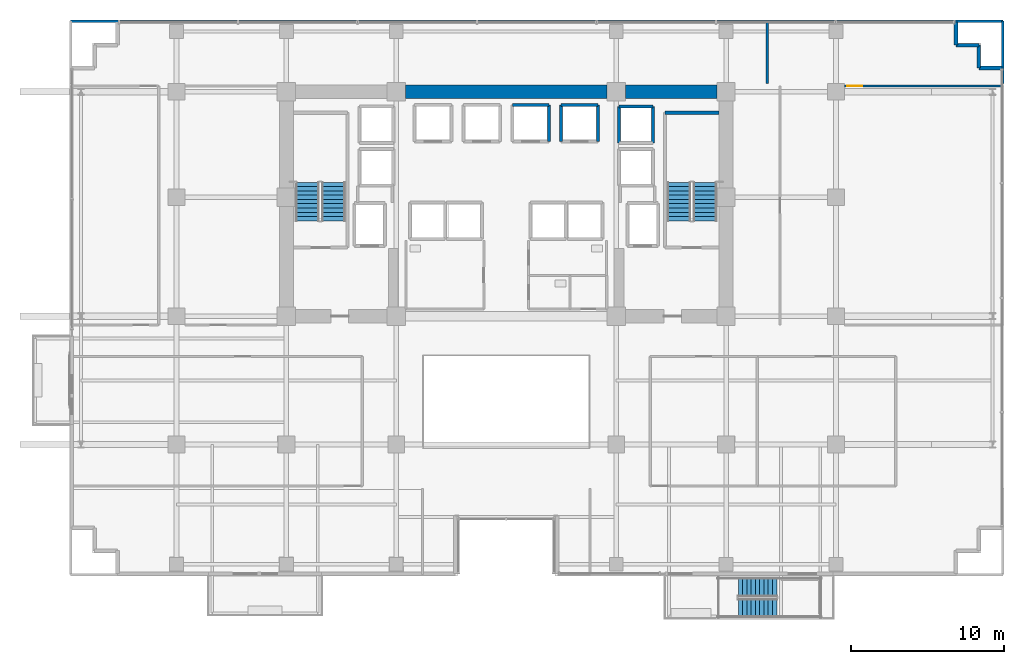
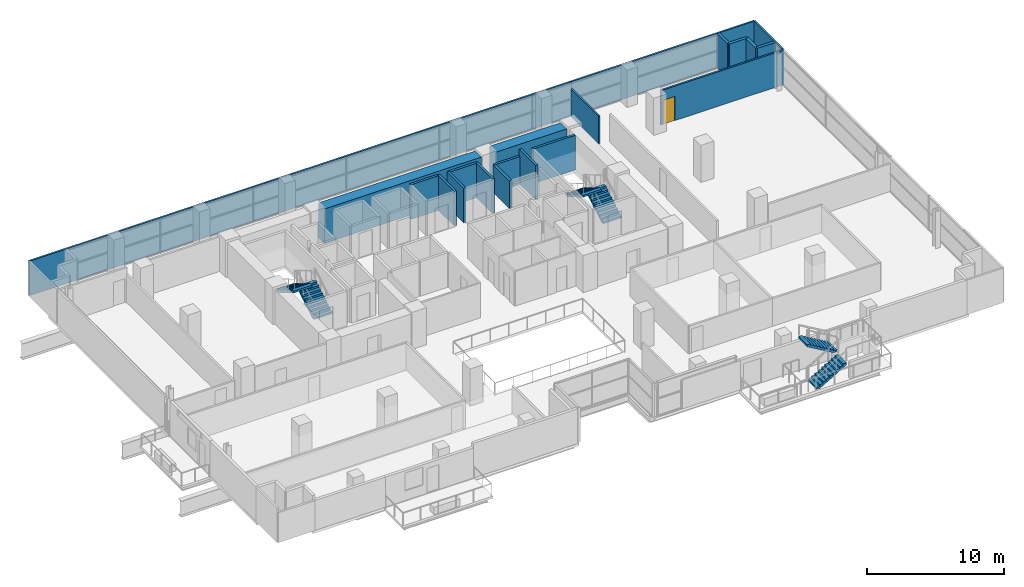
# One storey, part 27 of 31: 20 walls, 6 stair flights, 1 door, 1 opening, 3 elements without a shape of their own.
"""IFC4 building model written with IfcOpenShell, lengths in metres."""

from ifc_helpers import new_model, si_unit, direction, frame, frame_2d, origin, place, context, subcontext, project, spatial, polyline, rectangle, outline, extrude, source, transform, mapped, material, layer, layer_set, type_object, element, fill, aggregate, save


model = new_model("IFC4")

# Units and contexts
model_context = context("Model", 3, precision=1e-05, world=origin(), true_north=direction((0.0, 1.0)))
body_context = subcontext(model_context, "Body", "Model", "MODEL_VIEW")
ifc_project = project(units=[si_unit("LENGTHUNIT", "METRE"), si_unit("AREAUNIT", "SQUARE_METRE"), si_unit("VOLUMEUNIT", "CUBIC_METRE"), si_unit("PLANEANGLEUNIT", "RADIAN"), si_unit("MASSUNIT", "GRAM", prefix="KILO")], contexts=[model_context])

# Site, building, storey
site_placement = place(None, origin())
site = spatial("IfcSite", under=ifc_project, at=site_placement, CompositionType="ELEMENT")
building_placement = place(site_placement, origin())
building = spatial("IfcBuilding", under=site, at=building_placement, Name="Zarnakvel Exchange Tower", CompositionType="ELEMENT")
storey_placement = place(building_placement, frame((0.0, 0.0, 53.800048828125)))
storey = spatial("IfcBuildingStorey", under=building, at=storey_placement, Name="L14", CompositionType="ELEMENT", Elevation=53.800048828125)

# Walls
ifc_material_1 = material(Name="Concrete C80/95", Category="concrete")
ifc_layer_1 = layer(ifc_material_1, 0.89990234375)
ifc_layer_set_1 = layer_set([ifc_layer_1], Name="Concrete C80/95")
wall_type_1 = type_object("IfcWallType", Name="CW-C1", PredefinedType="SHEAR", material=ifc_layer_set_1)
wall_1_placement = place(storey_placement, frame((-6.60009765625, 13.5, 0.0), z_axis=(0.0, 0.0, 1.0), x_axis=(1.0, 0.0, 0.0)))
element("IfcWall", 1, at=wall_1_placement, inside=storey, type_object=wall_type_1, Name="L14 Rear Core Shear Wall N2 (CW-C1)", PredefinedType="SHEAR", context=body_context, shape_type="SweptSolid", body=[
    extrude(rectangle(XDim=13.2001953125, YDim=0.89990234375, at=frame_2d((6.60009765625, 0.0))), origin(), (0.0, 0.0, 1.0), 3.074951171875),
])
wall_2_placement = place(storey_placement, frame((7.800048828125, 13.5, 0.0), z_axis=(0.0, 0.0, 1.0), x_axis=(1.0, 0.0, 0.0)))
element("IfcWall", 2, at=wall_2_placement, inside=storey, type_object=wall_type_1, Name="L14 Rear Core Shear Wall N3 (CW-C1)", PredefinedType="SHEAR", context=body_context, shape_type="SweptSolid", body=[
    extrude(rectangle(XDim=6.0, YDim=0.89990234375, at=frame_2d((3.0, 0.0))), origin(), (0.0, 0.0, 1.0), 3.074951171875),
])
ifc_material_2 = material(Name="Precast concrete C40/50", Category="concrete")
ifc_layer_2 = layer(ifc_material_2, 0.239990234375)
ifc_layer_set_2 = layer_set([ifc_layer_2], Name="Precast concrete C40/50")
wall_type_2 = type_object("IfcWallType", Name="EW-02", PredefinedType="SOLIDWALL", material=ifc_layer_set_2)
for number, where, z_axis, x_axis, name in (
    (3, (29.4599609375, 16.56005859375, 0.0), (0.0, 0.0, 1.0), (0.0, 1.0, 0.0), "L14 Exterior Precast Spandrel Wall EWC-L14-07 (EW-02)"),
    (4, (30.9599609375, 16.56005859375, 0.0), (0.0, 0.0, 1.0), (-1.0, 0.0, 0.0), "L14 Exterior Precast Spandrel Wall EWC-L14-08 (EW-02)"),
    (5, (30.9599609375, 15.06005859375, 0.0), (0.0, 0.0, 1.0), (0.0, 1.0, 0.0), "L14 Exterior Precast Spandrel Wall EWC-L14-09 (EW-02)"),
    (6, (32.4599609375, 15.06005859375, 0.0), (0.0, 0.0, 1.0), (-1.0, 0.0, 0.0), "L14 Exterior Precast Spandrel Wall EWC-L14-10 (EW-02)"),
):
    element("IfcWall", number, at=place(storey_placement, frame(where, z_axis=z_axis, x_axis=x_axis)), inside=storey, type_object=wall_type_2, Name=name, PredefinedType="SOLIDWALL", context=body_context, shape_type="SweptSolid", body=[
        extrude(rectangle(XDim=1.5, YDim=0.239990234375, at=frame_2d((0.75, 0.0))), origin(), (0.0, 0.0, 1.0), 3.074951171875),
    ])

# Wall, opening, door
ifc_material_3 = material(Name="Fire-Rated Gypsum Stud Partition", Category="gypsum")
ifc_layer_3 = layer(ifc_material_3, 0.14990234375)
ifc_layer_set_3 = layer_set([ifc_layer_3], Name="Fire-Rated Gypsum Stud Partition")
wall_type_3 = type_object("IfcWallType", Name="PT-01", PredefinedType="PARTITIONING", material=ifc_layer_set_3)
wall_3_placement = place(storey_placement, frame((22.169921875, 13.8798828125, 0.0), z_axis=(0.0, 0.0, 1.0), x_axis=(1.0, 0.0, 0.0)))
wall_3 = element("IfcWall", 7, at=wall_3_placement, inside=storey, type_object=wall_type_3, Name="L14 Partition Wall PWALL-L14-047 (PT-01)", PredefinedType="PARTITIONING", context=body_context, shape_type="SweptSolid", body=[
    extrude(rectangle(XDim=10.360107421875, YDim=0.14990234375, at=frame_2d((5.18017578125, 0.0))), origin(), (0.0, 0.0, 1.0), 3.074951171875),
])
opening_placement = place(wall_3_placement, frame((0.179931640625, 0.0, 0.0)))
opening = element("IfcOpeningElement", 8, at=opening_placement, cuts=wall_3, Name="Opening D-L14-18", PredefinedType="OPENING", context=body_context, shape_type="SweptSolid", body=[
    extrude(rectangle(XDim=0.97998046875, YDim=2.14990234375, at=frame_2d((0.489990234375, 1.074951171875))), frame((0.0, 0.0849609375, 0.0), z_axis=(0.0, -1.0, 0.0), x_axis=(1.0, 0.0, 0.0)), (0.0, 0.0, 1.0), 0.169921875),
])
ifc_material_4 = material(Name="Timber Acoustic Veneer", Category="wood")
door_type = type_object("IfcDoorType", Name="DT-05", OperationType="NOTDEFINED", PredefinedType="DOOR", material=ifc_material_4)
shared_shape = source(origin(), body_context, "Body", "SweptSolid", [
    extrude(rectangle(XDim=0.97998046875, YDim=2.14990234375, at=frame_2d((0.489990234375, 1.074951171875))), frame((0.0, 0.02490234375, 0.0), z_axis=(0.0, -1.0, 0.0), x_axis=(1.0, 0.0, 0.0)), (0.0, 0.0, 1.0), 0.050048828125),
])
door_placement = place(opening_placement, origin())
door = element("IfcDoor", 9, at=door_placement, inside=storey, type_object=door_type, Name="L14 Breakout Lounge Door D-L14-18", OperationType="SINGLE_SWING_RIGHT", OverallHeight=2.14990234375, OverallWidth=0.97998046875, PredefinedType="DOOR", context=body_context, shape_type="MappedRepresentation", body=[
    mapped(shared_shape, transform((0.0, 0.0, 0.0), x_axis=(1.0, 0.0, 0.0), y_axis=(0.0, 1.0, 0.0), z_axis=(0.0, 0.0, 1.0), scale=1.0)),
])
fill(opening, door)

# Walls
wall_4_placement = place(storey_placement, frame((-28.530029296875, 18.1298828125, 0.0), z_axis=(0.0, 0.0, 1.0), x_axis=(1.0, 0.0, 0.0)))
element("IfcWall", 10, at=wall_4_placement, inside=storey, type_object=wall_type_3, Name="L14 Partition Wall PWALL-L14-050 (PT-01)", PredefinedType="PARTITIONING", context=body_context, shape_type="SweptSolid", body=[
    extrude(rectangle(XDim=45.630126953125, YDim=0.14990234375, at=frame_2d((22.81494140625, 0.0))), origin(), (0.0, 0.0, 1.0), 3.074951171875),
])
wall_5_placement = place(storey_placement, frame((17.10009765625, 18.1298828125, 0.0), z_axis=(0.0, 0.0, 1.0), x_axis=(0.0, -1.0, 0.0)))
element("IfcWall", 11, at=wall_5_placement, inside=storey, type_object=wall_type_3, Name="L14 Partition Wall PWALL-L14-052 (PT-01)", PredefinedType="PARTITIONING", context=body_context, shape_type="SweptSolid", body=[
    extrude(rectangle(XDim=4.099853515625, YDim=0.14990234375, at=frame_2d((2.0498046875, 0.0))), origin(), (0.0, 0.0, 1.0), 2.46484375),
])
wall_6_placement = place(storey_placement, frame((17.10009765625, 18.1298828125, 0.0), z_axis=(0.0, 0.0, 1.0), x_axis=(1.0, 0.0, 0.0)))
element("IfcWall", 12, at=wall_6_placement, inside=storey, type_object=wall_type_3, Name="L14 Partition Wall PWALL-L14-053 (PT-01)", PredefinedType="PARTITIONING", context=body_context, shape_type="SweptSolid", body=[
    extrude(rectangle(XDim=15.429931640625, YDim=0.14990234375, at=frame_2d((7.71484375, 0.0))), origin(), (0.0, 0.0, 1.0), 3.074951171875),
])
wall_7_placement = place(storey_placement, frame((32.530029296875, 18.1298828125, 0.0), z_axis=(0.0, 0.0, 1.0), x_axis=(0.0, -1.0, 0.0)))
element("IfcWall", 13, at=wall_7_placement, inside=storey, type_object=wall_type_3, Name="L14 Partition Wall PWALL-L14-054 (PT-01)", PredefinedType="PARTITIONING", context=body_context, shape_type="SweptSolid", body=[
    extrude(rectangle(XDim=4.099853515625, YDim=0.14990234375, at=frame_2d((2.0498046875, 0.0))), origin(), (0.0, 0.0, 1.0), 3.074951171875),
])
ifc_material_5 = material(Name="Concrete C40/50", Category="concrete")
ifc_layer_4 = layer(ifc_material_5, 0.199951171875)
ifc_layer_set_4 = layer_set([ifc_layer_4], Name="Concrete C40/50")
wall_type_4 = type_object("IfcWallType", Name="SW-01", PredefinedType="SOLIDWALL", material=ifc_layer_set_4)
wall_8_placement = place(storey_placement, frame((0.39990234375, 12.64990234375, 0.0), z_axis=(0.0, 0.0, 1.0), x_axis=(1.0, 0.0, 0.0)))
element("IfcWall", 14, at=wall_8_placement, inside=storey, type_object=wall_type_4, Name="L14 PL-03 Hoistway Wall North", PredefinedType="SOLIDWALL", context=body_context, shape_type="SweptSolid", body=[
    extrude(rectangle(XDim=2.400146484375, YDim=0.199951171875, at=frame_2d((1.2001953125, 0.0))), origin(), (0.0, 0.0, 1.0), 3.074951171875),
])
for number, where, z_axis, x_axis, name in (
    (15, (2.800048828125, 12.64990234375, 0.0), (0.0, 0.0, 1.0), (0.0, -1.0, 0.0), "L14 PL-03 Hoistway Wall East"),
    (16, (3.60009765625, 12.64990234375, 0.0), (0.0, 0.0, 1.0), (1.0, 0.0, 0.0), "L14 PL-04 Hoistway Wall North"),
    (17, (3.60009765625, 10.25, 0.0), (0.0, 0.0, 1.0), (0.0, 1.0, 0.0), "L14 PL-04 Hoistway Wall West"),
    (18, (6.0, 12.64990234375, 0.0), (0.0, 0.0, 1.0), (0.0, -1.0, 0.0), "L14 PL-04 Hoistway Wall East"),
):
    element("IfcWall", number, at=place(storey_placement, frame(where, z_axis=z_axis, x_axis=x_axis)), inside=storey, type_object=wall_type_4, Name=name, PredefinedType="SOLIDWALL", context=body_context, shape_type="SweptSolid", body=[
        extrude(rectangle(XDim=2.39990234375, YDim=0.199951171875, at=frame_2d((1.199951171875, 0.0))), origin(), (0.0, 0.0, 1.0), 3.074951171875),
    ])
wall_9_placement = place(storey_placement, frame((7.39990234375, 12.550048828125, 0.0), z_axis=(0.0, 0.0, 1.0), x_axis=(1.0, 0.0, 0.0)))
element("IfcWall", 19, at=wall_9_placement, inside=storey, type_object=wall_type_4, Name="L14 PL-12 Hoistway Wall North", PredefinedType="SOLIDWALL", context=body_context, shape_type="SweptSolid", body=[
    extrude(rectangle(XDim=2.2001953125, YDim=0.199951171875, at=frame_2d((1.10009765625, 0.0))), origin(), (0.0, 0.0, 1.0), 2.46484375),
])
wall_10_placement = place(storey_placement, frame((7.39990234375, 10.14990234375, 0.0), z_axis=(0.0, 0.0, 1.0), x_axis=(0.0, 1.0, 0.0)))
element("IfcWall", 20, at=wall_10_placement, inside=storey, type_object=wall_type_4, Name="L14 PL-12 Hoistway Wall West", PredefinedType="SOLIDWALL", context=body_context, shape_type="SweptSolid", body=[
    extrude(rectangle(XDim=2.400146484375, YDim=0.199951171875, at=frame_2d((1.2001953125, 0.0))), origin(), (0.0, 0.0, 1.0), 2.46484375),
])
wall_11_placement = place(storey_placement, frame((9.60009765625, 12.550048828125, 0.0), z_axis=(0.0, 0.0, 1.0), x_axis=(0.0, -1.0, 0.0)))
element("IfcWall", 21, at=wall_11_placement, inside=storey, type_object=wall_type_4, Name="L14 PL-12 Hoistway Wall East", PredefinedType="SOLIDWALL", context=body_context, shape_type="SweptSolid", body=[
    extrude(rectangle(XDim=2.400146484375, YDim=0.199951171875, at=frame_2d((1.2001953125, 0.0))), origin(), (0.0, 0.0, 1.0), 3.074951171875),
])
ifc_layer_5 = layer(ifc_material_5, 0.199951171875)
ifc_layer_set_5 = layer_set([ifc_layer_5], Name="Concrete C40/50")
wall_type_5 = type_object("IfcWallType", Name="SW-02", PredefinedType="SOLIDWALL", material=ifc_layer_set_5)
wall_12_placement = place(storey_placement, frame((10.409912109375, 12.1298828125, 0.0), z_axis=(0.0, 0.0, 1.0), x_axis=(1.0, 0.0, 0.0)))
element("IfcWall", 22, at=wall_12_placement, inside=storey, type_object=wall_type_5, Name="L14 Stairwell Core Wall PWALL-L14-005 (SW-02)", PredefinedType="SOLIDWALL", context=body_context, shape_type="SweptSolid", body=[
    extrude(rectangle(XDim=3.52001953125, YDim=0.199951171875, at=frame_2d((1.760009765625, 0.0))), origin(), (0.0, 0.0, 1.0), 3.074951171875),
])

# Stair, stair flights
stair_type_1 = type_object("IfcStairType", Name="STR-01", PredefinedType="HALF_TURN_STAIR", material=ifc_material_5)
stair_1_placement = place(storey_placement, origin())
stair_1 = element("IfcStair", 23, at=stair_1_placement, inside=storey, type_object=stair_type_1, Name="L14 Protected Core Exit Stair ST-01", PredefinedType="HALF_TURN_STAIR")
stair_flight_type_1 = type_object("IfcStairFlightType", Name="FLT-01", PredefinedType="STRAIGHT", material=ifc_material_5)
stair_flight_1_placement = place(storey_placement, frame((-11.31494140625, 5.050048828125, 0.0), z_axis=(0.0, 0.0, 1.0), x_axis=(0.0, 1.0, 0.0)))
stair_flight_1 = element("IfcStairFlight", 24, at=stair_flight_1_placement, type_object=stair_flight_type_1, Name="ST-01 flight 1", NumberOfRisers=10, NumberOfTreads=9, PredefinedType="STRAIGHT", RiserHeight=0.165, TreadLength=0.28, context=body_context, shape_type="SweptSolid", body=[
    extrude(outline(polyline([(0.0, 0.0), (0.0, 0.1650390625), (0.280029296875, 0.1650390625), (0.280029296875, 0.330078125), (0.56005859375, 0.330078125), (0.56005859375, 0.4951171875), (0.840087890625, 0.4951171875), (0.840087890625, 0.659912109375), (1.1201171875, 0.659912109375), (1.1201171875, 0.824951171875), (1.39990234375, 0.824951171875), (1.39990234375, 0.989990234375), (1.679931640625, 0.989990234375), (1.679931640625, 1.155029296875), (1.9599609375, 1.155029296875), (1.9599609375, 1.320068359375), (2.239990234375, 1.320068359375), (2.239990234375, 1.485107421875), (2.52001953125, 1.485107421875), (2.52001953125, 1.64990234375), (2.52001953125, 1.31103515625), (0.295166015625, 0.0), (0.0, 0.0)])), frame((0.0, 0.77490234375, 0.0), z_axis=(0.0, -1.0, 0.0), x_axis=(1.0, 0.0, 0.0)), (0.0, 0.0, 1.0), 1.550048828125),
])
stair_flight_2_placement = place(storey_placement, frame((-13.02490234375, 7.570068359375, 1.64990234375), z_axis=(0.0, 0.0, 1.0), x_axis=(0.0, -1.0, 0.0)))
stair_flight_2 = element("IfcStairFlight", 25, at=stair_flight_2_placement, type_object=stair_flight_type_1, Name="ST-01 flight 2", NumberOfRisers=10, NumberOfTreads=9, PredefinedType="STRAIGHT", RiserHeight=0.165, TreadLength=0.28, context=body_context, shape_type="SweptSolid", body=[
    extrude(outline(polyline([(0.0, 0.0), (0.0, 0.1650390625), (0.280029296875, 0.1650390625), (0.280029296875, 0.330078125), (0.56005859375, 0.330078125), (0.56005859375, 0.4951171875), (0.840087890625, 0.4951171875), (0.840087890625, 0.659912109375), (1.1201171875, 0.659912109375), (1.1201171875, 0.824951171875), (1.39990234375, 0.824951171875), (1.39990234375, 0.989990234375), (1.679931640625, 0.989990234375), (1.679931640625, 1.155029296875), (1.9599609375, 1.155029296875), (1.9599609375, 1.320068359375), (2.239990234375, 1.320068359375), (2.239990234375, 1.485107421875), (2.52001953125, 1.485107421875), (2.52001953125, 1.64990234375), (2.52001953125, 1.31103515625), (0.295166015625, 0.0), (0.0, 0.0)])), frame((0.0, 0.77490234375, 0.0), z_axis=(0.0, -1.0, 0.0), x_axis=(1.0, 0.0, 0.0)), (0.0, 0.0, 1.0), 1.550048828125),
])
aggregate(stair_1, [stair_flight_1, stair_flight_2])

stair_2_placement = place(storey_placement, origin())
stair_2 = element("IfcStair", 26, at=stair_2_placement, inside=storey, type_object=stair_type_1, Name="L14 Protected Core Exit Stair ST-02", PredefinedType="HALF_TURN_STAIR")
stair_flight_3_placement = place(storey_placement, frame((13.02490234375, 5.050048828125, 0.0), z_axis=(0.0, 0.0, 1.0), x_axis=(0.0, 1.0, 0.0)))
stair_flight_3 = element("IfcStairFlight", 27, at=stair_flight_3_placement, type_object=stair_flight_type_1, Name="ST-02 flight 1", NumberOfRisers=10, NumberOfTreads=9, PredefinedType="STRAIGHT", RiserHeight=0.165, TreadLength=0.28, context=body_context, shape_type="SweptSolid", body=[
    extrude(outline(polyline([(0.0, 0.0), (0.0, 0.1650390625), (0.280029296875, 0.1650390625), (0.280029296875, 0.330078125), (0.56005859375, 0.330078125), (0.56005859375, 0.4951171875), (0.840087890625, 0.4951171875), (0.840087890625, 0.659912109375), (1.1201171875, 0.659912109375), (1.1201171875, 0.824951171875), (1.39990234375, 0.824951171875), (1.39990234375, 0.989990234375), (1.679931640625, 0.989990234375), (1.679931640625, 1.155029296875), (1.9599609375, 1.155029296875), (1.9599609375, 1.320068359375), (2.239990234375, 1.320068359375), (2.239990234375, 1.485107421875), (2.52001953125, 1.485107421875), (2.52001953125, 1.64990234375), (2.52001953125, 1.31103515625), (0.295166015625, 0.0), (0.0, 0.0)])), frame((0.0, 0.77490234375, 0.0), z_axis=(0.0, -1.0, 0.0), x_axis=(1.0, 0.0, 0.0)), (0.0, 0.0, 1.0), 1.550048828125),
])
stair_flight_4_placement = place(storey_placement, frame((11.31494140625, 7.570068359375, 1.64990234375), z_axis=(0.0, 0.0, 1.0), x_axis=(0.0, -1.0, 0.0)))
stair_flight_4 = element("IfcStairFlight", 28, at=stair_flight_4_placement, type_object=stair_flight_type_1, Name="ST-02 flight 2", NumberOfRisers=10, NumberOfTreads=9, PredefinedType="STRAIGHT", RiserHeight=0.165, TreadLength=0.28, context=body_context, shape_type="SweptSolid", body=[
    extrude(outline(polyline([(0.0, 0.0), (0.0, 0.1650390625), (0.280029296875, 0.1650390625), (0.280029296875, 0.330078125), (0.56005859375, 0.330078125), (0.56005859375, 0.4951171875), (0.840087890625, 0.4951171875), (0.840087890625, 0.659912109375), (1.1201171875, 0.659912109375), (1.1201171875, 0.824951171875), (1.39990234375, 0.824951171875), (1.39990234375, 0.989990234375), (1.679931640625, 0.989990234375), (1.679931640625, 1.155029296875), (1.9599609375, 1.155029296875), (1.9599609375, 1.320068359375), (2.239990234375, 1.320068359375), (2.239990234375, 1.485107421875), (2.52001953125, 1.485107421875), (2.52001953125, 1.64990234375), (2.52001953125, 1.31103515625), (0.295166015625, 0.0), (0.0, 0.0)])), frame((0.0, 0.77490234375, 0.0), z_axis=(0.0, -1.0, 0.0), x_axis=(1.0, 0.0, 0.0)), (0.0, 0.0, 1.0), 1.550048828125),
])
aggregate(stair_2, [stair_flight_3, stair_flight_4])

stair_type_2 = type_object("IfcStairType", Name="STR-05", PredefinedType="HALF_TURN_STAIR", material=ifc_material_5)
stair_3_placement = place(storey_placement, origin())
stair_3 = element("IfcStair", 29, at=stair_3_placement, inside=storey, type_object=stair_type_2, Name="L14 Spiral Sky-Terrace Connecting Stair ST-08", PredefinedType="HALF_TURN_STAIR")
stair_flight_type_2 = type_object("IfcStairFlightType", Name="FLT-05", PredefinedType="STRAIGHT", material=ifc_material_5)
stair_flight_5_placement = place(storey_placement, frame((15.199951171875, -20.31494140625, 0.0), z_axis=(0.0, 0.0, 1.0), x_axis=(1.0, 0.0, 0.0)))
stair_flight_5 = element("IfcStairFlight", 30, at=stair_flight_5_placement, type_object=stair_flight_type_2, Name="ST-08 flight 1", NumberOfRisers=10, NumberOfTreads=9, PredefinedType="STRAIGHT", RiserHeight=0.165, TreadLength=0.28, context=body_context, shape_type="SweptSolid", body=[
    extrude(outline(polyline([(0.0, 0.0), (0.0, 0.1650390625), (0.280029296875, 0.1650390625), (0.280029296875, 0.330078125), (0.56005859375, 0.330078125), (0.56005859375, 0.4951171875), (0.840087890625, 0.4951171875), (0.840087890625, 0.659912109375), (1.1201171875, 0.659912109375), (1.1201171875, 0.824951171875), (1.39990234375, 0.824951171875), (1.39990234375, 0.989990234375), (1.679931640625, 0.989990234375), (1.679931640625, 1.155029296875), (1.9599609375, 1.155029296875), (1.9599609375, 1.320068359375), (2.239990234375, 1.320068359375), (2.239990234375, 1.485107421875), (2.52001953125, 1.485107421875), (2.52001953125, 1.64990234375), (2.52001953125, 1.31103515625), (0.295166015625, 0.0), (0.0, 0.0)])), frame((0.0, 0.625, 0.0), z_axis=(0.0, -1.0, 0.0), x_axis=(1.0, 0.0, 0.0)), (0.0, 0.0, 1.0), 1.25),
])
stair_flight_6_placement = place(storey_placement, frame((17.719970703125, -18.945068359375, 1.64990234375), z_axis=(0.0, 0.0, 1.0), x_axis=(-1.0, 0.0, 0.0)))
stair_flight_6 = element("IfcStairFlight", 31, at=stair_flight_6_placement, type_object=stair_flight_type_2, Name="ST-08 flight 2", NumberOfRisers=10, NumberOfTreads=9, PredefinedType="STRAIGHT", RiserHeight=0.165, TreadLength=0.28, context=body_context, shape_type="SweptSolid", body=[
    extrude(outline(polyline([(0.0, 0.0), (0.0, 0.1650390625), (0.280029296875, 0.1650390625), (0.280029296875, 0.330078125), (0.56005859375, 0.330078125), (0.56005859375, 0.4951171875), (0.840087890625, 0.4951171875), (0.840087890625, 0.659912109375), (1.1201171875, 0.659912109375), (1.1201171875, 0.824951171875), (1.39990234375, 0.824951171875), (1.39990234375, 0.989990234375), (1.679931640625, 0.989990234375), (1.679931640625, 1.155029296875), (1.9599609375, 1.155029296875), (1.9599609375, 1.320068359375), (2.239990234375, 1.320068359375), (2.239990234375, 1.485107421875), (2.52001953125, 1.485107421875), (2.52001953125, 1.64990234375), (2.52001953125, 1.31103515625), (0.295166015625, 0.0), (0.0, 0.0)])), frame((0.0, 0.625, 0.0), z_axis=(0.0, -1.0, 0.0), x_axis=(1.0, 0.0, 0.0)), (0.0, 0.0, 1.0), 1.25),
])
aggregate(stair_3, [stair_flight_5, stair_flight_6])

save(model, "model.ifc")
